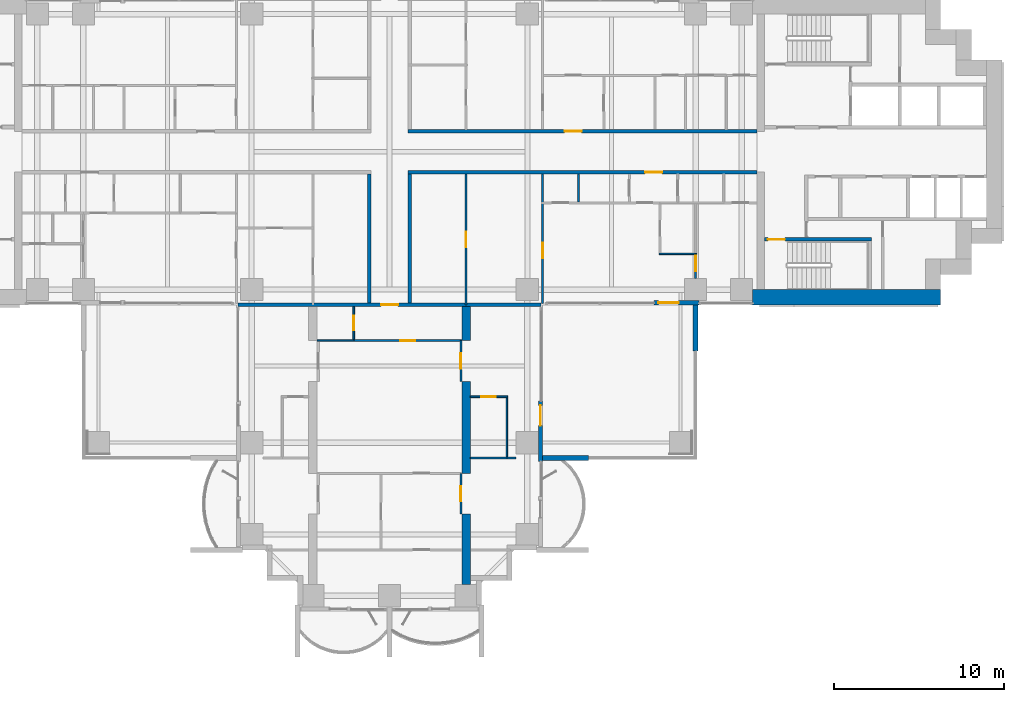
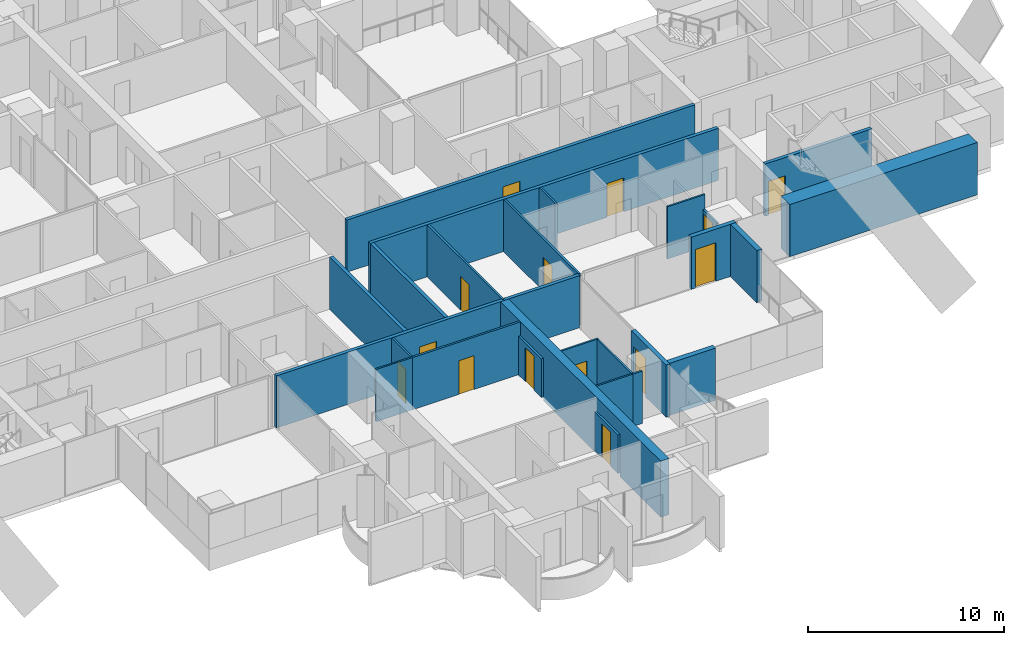
# One storey, part 13 of 23: 26 walls, 14 doors, 14 openings.
"""IFC4 building model written with IfcOpenShell, lengths in metres."""

from ifc_helpers import new_model, si_unit, direction, frame, frame_2d, origin, place, context, subcontext, project, spatial, polyline, rectangle, outline, extrude, material, layer, layer_set, material_profile, profile_set, type_object, element, fill, save


model = new_model("IFC4")

# Units and contexts
model_context = context("Model", 3, precision=1e-05, world=origin(), true_north=direction((0.0, 1.0)))
body_context = subcontext(model_context, "Body", "Model", "MODEL_VIEW")
ifc_project = project(units=[si_unit("LENGTHUNIT", "METRE"), si_unit("AREAUNIT", "SQUARE_METRE"), si_unit("VOLUMEUNIT", "CUBIC_METRE"), si_unit("PLANEANGLEUNIT", "RADIAN"), si_unit("MASSUNIT", "GRAM", prefix="KILO")], contexts=[model_context])

# Site, building, storey
site_placement = place(None, origin())
site = spatial("IfcSite", under=ifc_project, at=site_placement, CompositionType="ELEMENT")
building_placement = place(site_placement, origin())
building = spatial("IfcBuilding", under=site, at=building_placement, Name="Perihelion Cross Residences", CompositionType="ELEMENT")
storey_placement = place(building_placement, frame((0.0, 0.0, 61.0)))
storey = spatial("IfcBuildingStorey", under=building, at=storey_placement, Name="L12", CompositionType="ELEMENT", Elevation=61.0)

# Wall, opening, door
ifc_material_1 = material(Name="Plasterboard partition")
ifc_layer_1 = layer(ifc_material_1, 0.199951171875)
ifc_layer_set_1 = layer_set([ifc_layer_1], Name="Apartment separation wall 200")
wall_type_1 = type_object("IfcWallType", Name="Apartment separation wall 200", PredefinedType="PARTITIONING", material=ifc_layer_set_1)
wall_1_placement = place(storey_placement, frame((1.10009765625, 1.199951171875, 0.0), z_axis=(0.0, 0.0, 1.0), x_axis=(1.0, 0.0, 0.0)))
wall_1 = element("IfcWall", 1, at=wall_1_placement, inside=storey, type_object=wall_type_1, Name="Partition L12 W001", PredefinedType="PARTITIONING", context=body_context, shape_type="SweptSolid", body=[
    extrude(rectangle(XDim=20.5, YDim=0.199951171875, at=frame_2d((10.25, 0.0))), origin(), (0.0, 0.0, 1.0), 3.25),
])
opening_1_placement = place(wall_1_placement, frame((9.199951171875, 0.0, 0.0)))
opening_1 = element("IfcOpeningElement", 2, at=opening_1_placement, cuts=wall_1, Name="Opening L12.A53", PredefinedType="OPENING", context=body_context, shape_type="SweptSolid", body=[
    extrude(rectangle(XDim=1.0, YDim=2.10009765625, at=frame_2d((0.5, 1.050048828125))), frame((0.0, 0.10986328125, 0.0), z_axis=(0.0, -1.0, 0.0), x_axis=(1.0, 0.0, 0.0)), (0.0, 0.0, 1.0), 0.219970703125),
])
ifc_material_2 = material(Name="Timber door leaf", Category="wood")
door_type_1 = type_object("IfcDoorType", Name="Flat entrance door 1000 x 2100", OperationType="SINGLE_SWING_LEFT", PredefinedType="DOOR", material=ifc_material_2)
door_1_placement = place(opening_1_placement, origin())
door_1 = element("IfcDoor", 3, at=door_1_placement, inside=storey, type_object=door_type_1, Name="Door L12.A53", OperationType="SINGLE_SWING_LEFT", OverallHeight=2.10009765625, OverallWidth=1.0, PredefinedType="DOOR", context=body_context, shape_type="SweptSolid", body=[
    extrude(rectangle(XDim=1.0, YDim=2.10009765625, at=frame_2d((0.5, 1.050048828125))), frame((0.0, 0.02490234375, 0.0), z_axis=(0.0, -1.0, 0.0), x_axis=(1.0, 0.0, 0.0)), (0.0, 0.0, 1.0), 0.050048828125),
])
fill(opening_1, door_1)

wall_2_placement = place(storey_placement, frame((21.60009765625, -1.199951171875, 0.0), z_axis=(0.0, 0.0, 1.0), x_axis=(-1.0, 0.0, 0.0)))
wall_2 = element("IfcWall", 4, at=wall_2_placement, inside=storey, type_object=wall_type_1, Name="Partition L12 W003", PredefinedType="PARTITIONING", context=body_context, shape_type="SweptSolid", body=[
    extrude(rectangle(XDim=20.5, YDim=0.199951171875, at=frame_2d((10.25, 0.0))), origin(), (0.0, 0.0, 1.0), 3.25),
])
opening_2_placement = place(wall_2_placement, frame((5.574951171875, 0.0, 0.0)))
opening_2 = element("IfcOpeningElement", 5, at=opening_2_placement, cuts=wall_2, Name="Opening L12.A54", PredefinedType="OPENING", context=body_context, shape_type="SweptSolid", body=[
    extrude(rectangle(XDim=1.0, YDim=2.10009765625, at=frame_2d((0.5, 1.050048828125))), frame((0.0, 0.10986328125, 0.0), z_axis=(0.0, -1.0, 0.0), x_axis=(1.0, 0.0, 0.0)), (0.0, 0.0, 1.0), 0.219970703125),
])
door_2_placement = place(opening_2_placement, origin())
door_2 = element("IfcDoor", 6, at=door_2_placement, inside=storey, type_object=door_type_1, Name="Door L12.A54", OperationType="SINGLE_SWING_RIGHT", OverallHeight=2.10009765625, OverallWidth=1.0, PredefinedType="DOOR", context=body_context, shape_type="SweptSolid", body=[
    extrude(rectangle(XDim=1.0, YDim=2.10009765625, at=frame_2d((0.5, 1.050048828125))), frame((0.0, 0.02490234375, 0.0), z_axis=(0.0, -1.0, 0.0), x_axis=(1.0, 0.0, 0.0)), (0.0, 0.0, 1.0), 0.050048828125),
])
fill(opening_2, door_2)

# Walls
for number, where, z_axis, x_axis, name in (
    (7, (1.199951171875, -1.300048828125, 0.0), (0.0, 0.0, 1.0), (0.0, -1.0, 0.0), "Partition L12 W004"),
    (8, (-1.199951171875, -8.89990234375, 0.0), (0.0, 0.0, 1.0), (0.0, 1.0, 0.0), "Partition L12 W008"),
):
    element("IfcWall", number, at=place(storey_placement, frame(where, z_axis=z_axis, x_axis=x_axis)), inside=storey, type_object=wall_type_1, Name=name, PredefinedType="PARTITIONING", context=body_context, shape_type="SweptSolid", body=[
        extrude(rectangle(XDim=7.599853515625, YDim=0.199951171875, at=frame_2d((3.7998046875, 0.0))), origin(), (0.0, 0.0, 1.0), 3.25),
    ])

# Wall, opening, door
wall_3_placement = place(storey_placement, frame((8.919921875, -9.0, 0.0), z_axis=(0.0, 0.0, 1.0), x_axis=(-1.0, 0.0, 0.0)))
wall_3 = element("IfcWall", 9, at=wall_3_placement, inside=storey, type_object=wall_type_1, Name="Partition L12 W010", PredefinedType="PARTITIONING", context=body_context, shape_type="SweptSolid", body=[
    extrude(rectangle(XDim=17.83984375, YDim=0.199951171875, at=frame_2d((8.919921875, 0.0))), origin(), (0.0, 0.0, 1.0), 3.25),
])
opening_3_placement = place(wall_3_placement, frame((8.419921875, 0.0, 0.0)))
opening_3 = element("IfcOpeningElement", 10, at=opening_3_placement, cuts=wall_3, Name="Opening L12.A45", PredefinedType="OPENING", context=body_context, shape_type="SweptSolid", body=[
    extrude(rectangle(XDim=1.0, YDim=2.10009765625, at=frame_2d((0.5, 1.050048828125))), frame((0.0, 0.10986328125, 0.0), z_axis=(0.0, -1.0, 0.0), x_axis=(1.0, 0.0, 0.0)), (0.0, 0.0, 1.0), 0.219970703125),
])
door_3_placement = place(opening_3_placement, origin())
door_3 = element("IfcDoor", 11, at=door_3_placement, inside=storey, type_object=door_type_1, Name="Door L12.A45", OperationType="SINGLE_SWING_LEFT", OverallHeight=2.10009765625, OverallWidth=1.0, PredefinedType="DOOR", context=body_context, shape_type="SweptSolid", body=[
    extrude(rectangle(XDim=1.0, YDim=2.10009765625, at=frame_2d((0.5, 1.050048828125))), frame((0.0, 0.02490234375, 0.0), z_axis=(0.0, -1.0, 0.0), x_axis=(1.0, 0.0, 0.0)), (0.0, 0.0, 1.0), 0.050048828125),
])
fill(opening_3, door_3)

ifc_material_3 = material(Name="Concrete C30/37, bronze-clad", Category="concrete")
ifc_layer_2 = layer(ifc_material_3, 0.25)
ifc_layer_set_2 = layer_set([ifc_layer_2], Name="Bronze-clad pier wall 250")
wall_type_2 = type_object("IfcWallType", Name="Bronze-clad pier wall 250", PredefinedType="SOLIDWALL", material=ifc_layer_set_2)
wall_4_placement = place(storey_placement, frame((8.875, -18.199951171875, 0.0), z_axis=(0.0, 0.0, 1.0), x_axis=(0.0, 1.0, 0.0)))
wall_4 = element("IfcWall", 12, at=wall_4_placement, inside=storey, type_object=wall_type_2, Name="Wall FW1 L12 south side east bay 2 pier", PredefinedType="SOLIDWALL", context=body_context, shape_type="SweptSolid", body=[
    extrude(rectangle(XDim=3.550048828125, YDim=0.25, at=frame_2d((1.77490234375, 0.0))), origin(), (0.0, 0.0, 1.0), 3.25),
])
opening_4_placement = place(wall_4_placement, frame((2.10009765625, 0.0, 0.0)))
opening_4 = element("IfcOpeningElement", 13, at=opening_4_placement, cuts=wall_4, Name="Opening L12.E15", PredefinedType="OPENING", context=body_context, shape_type="SweptSolid", body=[
    extrude(rectangle(XDim=1.199951171875, YDim=2.39990234375, at=frame_2d((0.60009765625, 1.199951171875))), frame((0.0, 0.135009765625, 0.0), z_axis=(0.0, -1.0, 0.0), x_axis=(1.0, 0.0, 0.0)), (0.0, 0.0, 1.0), 0.27001953125),
])
ifc_material_4 = material(Name="Bronze anodised aluminium, glazed", Category="aluminium")
door_type_2 = type_object("IfcDoorType", Name="Balcony door 1200 x 2400", OperationType="NOTDEFINED", PredefinedType="DOOR", material=ifc_material_4)
door_4_placement = place(opening_4_placement, origin())
door_4 = element("IfcDoor", 14, at=door_4_placement, inside=storey, type_object=door_type_2, Name="Door L12.E15 south side east bay 2", OperationType="SINGLE_SWING_RIGHT", OverallHeight=2.39990234375, OverallWidth=1.199951171875, PredefinedType="DOOR", context=body_context, shape_type="SweptSolid", body=[
    extrude(rectangle(XDim=1.199951171875, YDim=2.39990234375, at=frame_2d((0.60009765625, 1.199951171875))), frame((0.0, 0.02490234375, 0.0), z_axis=(0.0, -1.0, 0.0), x_axis=(1.0, 0.0, 0.0)), (0.0, 0.0, 1.0), 0.050048828125),
])
fill(opening_4, door_4)

wall_5_placement = place(storey_placement, frame((15.550048828125, -8.875, 0.0), z_axis=(0.0, 0.0, 1.0), x_axis=(1.0, 0.0, 0.0)))
wall_5 = element("IfcWall", 15, at=wall_5_placement, inside=storey, type_object=wall_type_2, Name="Wall FW1 L12 east side south bay 1 pier", PredefinedType="SOLIDWALL", context=body_context, shape_type="SweptSolid", body=[
    extrude(rectangle(XDim=2.64990234375, YDim=0.25, at=frame_2d((1.324951171875, 0.0))), origin(), (0.0, 0.0, 1.0), 3.25),
])
opening_5_placement = place(wall_5_placement, frame((0.25, 0.0, 0.0)))
opening_5 = element("IfcOpeningElement", 16, at=opening_5_placement, cuts=wall_5, Name="Opening L12.E16", PredefinedType="OPENING", context=body_context, shape_type="SweptSolid", body=[
    extrude(rectangle(XDim=1.199951171875, YDim=2.39990234375, at=frame_2d((0.60009765625, 1.199951171875))), frame((0.0, 0.135009765625, 0.0), z_axis=(0.0, -1.0, 0.0), x_axis=(1.0, 0.0, 0.0)), (0.0, 0.0, 1.0), 0.27001953125),
])
door_5_placement = place(opening_5_placement, origin())
door_5 = element("IfcDoor", 17, at=door_5_placement, inside=storey, type_object=door_type_2, Name="Door L12.E16 east side south bay 1", OperationType="SINGLE_SWING_LEFT", OverallHeight=2.39990234375, OverallWidth=1.199951171875, PredefinedType="DOOR", context=body_context, shape_type="SweptSolid", body=[
    extrude(rectangle(XDim=1.199951171875, YDim=2.39990234375, at=frame_2d((0.60009765625, 1.199951171875))), frame((0.0, 0.02490234375, 0.0), z_axis=(0.0, -1.0, 0.0), x_axis=(1.0, 0.0, 0.0)), (0.0, 0.0, 1.0), 0.050048828125),
])
fill(opening_5, door_5)

# Wall
ifc_material_5 = material(Name="Concrete C60/75", Category="concrete")
ifc_layer_3 = layer(ifc_material_5, 0.89990234375)
ifc_layer_set_3 = layer_set([ifc_layer_3], Name="Core wall, outer 900")
wall_type_3 = type_object("IfcWallType", Name="Core wall, outer 900", PredefinedType="SHEAR", material=ifc_layer_set_3)
wall_6_placement = place(storey_placement, frame((21.35009765625, -8.550048828125, 0.0), z_axis=(0.0, 0.0, 1.0), x_axis=(1.0, 0.0, 0.0)))
element("IfcWall", 18, at=wall_6_placement, inside=storey, type_object=wall_type_3, Name="East core core wall, outer", PredefinedType="SHEAR", context=body_context, shape_type="SweptSolid", body=[
    extrude(rectangle(XDim=11.0498046875, YDim=0.89990234375, at=frame_2d((5.52490234375, 0.0))), origin(), (0.0, 0.0, 1.0), 3.25),
])

# Wall, opening, door
ifc_material_6 = material(Name="Plasterboard partition")
ifc_layer_4 = layer(ifc_material_6, 0.1201171875)
ifc_layer_set_4 = layer_set([ifc_layer_4], Name="Infill panel 120")
wall_type_4 = type_object("IfcWallType", Name="Infill panel 120", PredefinedType="PARTITIONING", material=ifc_layer_set_4)
wall_7_placement = place(storey_placement, frame((4.18994140625, -11.10009765625, 0.0), z_axis=(0.0, 0.0, 1.0), x_axis=(0.0, -1.0, 0.0)))
wall_7 = element("IfcWall", 19, at=wall_7_placement, inside=storey, type_object=wall_type_4, Name="Partition L12 WI05", PredefinedType="PARTITIONING", context=body_context, shape_type="SweptSolid", body=[
    extrude(rectangle(XDim=2.39990234375, YDim=0.1201171875, at=frame_2d((1.199951171875, 0.0))), origin(), (0.0, 0.0, 1.0), 2.39990234375),
])
opening_6_placement = place(wall_7_placement, frame((0.75, 0.0, 0.0)))
opening_6 = element("IfcOpeningElement", 20, at=opening_6_placement, cuts=wall_7, Name="Opening L12.A61", PredefinedType="OPENING", context=body_context, shape_type="SweptSolid", body=[
    extrude(rectangle(XDim=0.89990234375, YDim=2.10009765625, at=frame_2d((0.449951171875, 1.050048828125))), frame((0.0, 0.070068359375, 0.0), z_axis=(0.0, -1.0, 0.0), x_axis=(1.0, 0.0, 0.0)), (0.0, 0.0, 1.0), 0.14013671875),
])
ifc_material_7 = material(Name="Timber door leaf", Category="wood")
door_type_3 = type_object("IfcDoorType", Name="Interior room door 900 x 2100", OperationType="SINGLE_SWING_LEFT", PredefinedType="DOOR", material=ifc_material_7)
door_6_placement = place(opening_6_placement, origin())
door_6 = element("IfcDoor", 21, at=door_6_placement, inside=storey, type_object=door_type_3, Name="Door L12.A61", OperationType="SINGLE_SWING_RIGHT", OverallHeight=2.10009765625, OverallWidth=0.89990234375, PredefinedType="DOOR", context=body_context, shape_type="SweptSolid", body=[
    extrude(rectangle(XDim=0.89990234375, YDim=2.10009765625, at=frame_2d((0.449951171875, 1.050048828125))), frame((0.0, 0.02490234375, 0.0), z_axis=(0.0, -1.0, 0.0), x_axis=(1.0, 0.0, 0.0)), (0.0, 0.0, 1.0), 0.050048828125),
])
fill(opening_6, door_6)

wall_8_placement = place(storey_placement, frame((4.18994140625, -18.89990234375, 0.0), z_axis=(0.0, 0.0, 1.0), x_axis=(0.0, -1.0, 0.0)))
wall_8 = element("IfcWall", 22, at=wall_8_placement, inside=storey, type_object=wall_type_4, Name="Partition L12 WI06", PredefinedType="PARTITIONING", context=body_context, shape_type="SweptSolid", body=[
    extrude(rectangle(XDim=2.400146484375, YDim=0.1201171875, at=frame_2d((1.2001953125, 0.0))), origin(), (0.0, 0.0, 1.0), 2.39990234375),
])
opening_7_placement = place(wall_8_placement, frame((0.75, 0.0, 0.0)))
opening_7 = element("IfcOpeningElement", 23, at=opening_7_placement, cuts=wall_8, Name="Opening L12.A62", PredefinedType="OPENING", context=body_context, shape_type="SweptSolid", body=[
    extrude(rectangle(XDim=0.89990234375, YDim=2.10009765625, at=frame_2d((0.449951171875, 1.050048828125))), frame((0.0, 0.070068359375, 0.0), z_axis=(0.0, -1.0, 0.0), x_axis=(1.0, 0.0, 0.0)), (0.0, 0.0, 1.0), 0.14013671875),
])
door_7_placement = place(opening_7_placement, origin())
door_7 = element("IfcDoor", 24, at=door_7_placement, inside=storey, type_object=door_type_3, Name="Door L12.A62", OperationType="SINGLE_SWING_LEFT", OverallHeight=2.10009765625, OverallWidth=0.89990234375, PredefinedType="DOOR", context=body_context, shape_type="SweptSolid", body=[
    extrude(rectangle(XDim=0.89990234375, YDim=2.10009765625, at=frame_2d((0.449951171875, 1.050048828125))), frame((0.0, 0.02490234375, 0.0), z_axis=(0.0, -1.0, 0.0), x_axis=(1.0, 0.0, 0.0)), (0.0, 0.0, 1.0), 0.050048828125),
])
fill(opening_7, door_7)

# Wall
ifc_material_8 = material(Name="Plasterboard partition")
ifc_layer_5 = layer(ifc_material_8, 0.1201171875)
ifc_layer_set_5 = layer_set([ifc_layer_5], Name="Partition wall 120")
wall_type_5 = type_object("IfcWallType", Name="Partition wall 120", PredefinedType="PARTITIONING", material=ifc_layer_set_5)
wall_9_placement = place(storey_placement, frame((11.10009765625, -1.300048828125, 0.0), z_axis=(0.0, 0.0, 1.0), x_axis=(0.0, -1.0, 0.0)))
element("IfcWall", 25, at=wall_9_placement, inside=storey, type_object=wall_type_5, Name="Partition L12 W022", PredefinedType="PARTITIONING", context=body_context, shape_type="SweptSolid", body=[
    extrude(rectangle(XDim=1.639892578125, YDim=0.1201171875, at=frame_2d((0.81982421875, 0.0))), origin(), (0.0, 0.0, 1.0), 3.25),
])

# Wall, opening, door
wall_10_placement = place(storey_placement, frame((9.0, -8.919921875, 0.0), z_axis=(0.0, 0.0, 1.0), x_axis=(0.0, 1.0, 0.0)))
wall_10 = element("IfcWall", 26, at=wall_10_placement, inside=storey, type_object=wall_type_5, Name="Partition L12 W024", PredefinedType="PARTITIONING", context=body_context, shape_type="SweptSolid", body=[
    extrude(rectangle(XDim=7.619873046875, YDim=0.1201171875, at=frame_2d((3.81005859375, 0.0))), origin(), (0.0, 0.0, 1.0), 3.25),
])
opening_8_placement = place(wall_10_placement, frame((2.669921875, 0.0, 0.0)))
opening_8 = element("IfcOpeningElement", 27, at=opening_8_placement, cuts=wall_10, Name="Opening L12.A15", PredefinedType="OPENING", context=body_context, shape_type="SweptSolid", body=[
    extrude(rectangle(XDim=0.89990234375, YDim=2.10009765625, at=frame_2d((0.449951171875, 1.050048828125))), frame((0.0, 0.070068359375, 0.0), z_axis=(0.0, -1.0, 0.0), x_axis=(1.0, 0.0, 0.0)), (0.0, 0.0, 1.0), 0.14013671875),
])
door_8_placement = place(opening_8_placement, origin())
door_8 = element("IfcDoor", 28, at=door_8_placement, inside=storey, type_object=door_type_3, Name="Door L12.A15", OperationType="SINGLE_SWING_LEFT", OverallHeight=2.10009765625, OverallWidth=0.89990234375, PredefinedType="DOOR", context=body_context, shape_type="SweptSolid", body=[
    extrude(rectangle(XDim=0.89990234375, YDim=2.10009765625, at=frame_2d((0.449951171875, 1.050048828125))), frame((0.0, 0.02490234375, 0.0), z_axis=(0.0, -1.0, 0.0), x_axis=(1.0, 0.0, 0.0)), (0.0, 0.0, 1.0), 0.050048828125),
])
fill(opening_8, door_8)

wall_11_placement = place(storey_placement, frame((18.0, -6.0, 0.0), z_axis=(0.0, 0.0, 1.0), x_axis=(0.0, -1.0, 0.0)))
wall_11 = element("IfcWall", 29, at=wall_11_placement, inside=storey, type_object=wall_type_5, Name="Partition L12 W032", PredefinedType="PARTITIONING", context=body_context, shape_type="SweptSolid", body=[
    extrude(rectangle(XDim=1.449951171875, YDim=0.1201171875, at=frame_2d((0.72509765625, 0.0))), origin(), (0.0, 0.0, 1.0), 2.345947265625),
])
opening_9_placement = place(wall_11_placement, frame((0.1201171875, 0.0, 0.0)))
opening_9 = element("IfcOpeningElement", 30, at=opening_9_placement, cuts=wall_11, Name="Opening L12.A12", PredefinedType="OPENING", context=body_context, shape_type="SweptSolid", body=[
    extrude(rectangle(XDim=0.89990234375, YDim=2.10009765625, at=frame_2d((0.449951171875, 1.050048828125))), frame((0.0, 0.070068359375, 0.0), z_axis=(0.0, -1.0, 0.0), x_axis=(1.0, 0.0, 0.0)), (0.0, 0.0, 1.0), 0.14013671875),
])
door_9_placement = place(opening_9_placement, origin())
door_9 = element("IfcDoor", 31, at=door_9_placement, inside=storey, type_object=door_type_3, Name="Door L12.A12", OperationType="SINGLE_SWING_RIGHT", OverallHeight=2.10009765625, OverallWidth=0.89990234375, PredefinedType="DOOR", context=body_context, shape_type="SweptSolid", body=[
    extrude(rectangle(XDim=0.89990234375, YDim=2.10009765625, at=frame_2d((0.449951171875, 1.050048828125))), frame((0.0, 0.02490234375, 0.0), z_axis=(0.0, -1.0, 0.0), x_axis=(1.0, 0.0, 0.0)), (0.0, 0.0, 1.0), 0.050048828125),
])
fill(opening_9, door_9)

wall_12_placement = place(storey_placement, frame((4.5, -9.0, 0.0), z_axis=(0.0, 0.0, 1.0), x_axis=(0.0, 1.0, 0.0)))
wall_12 = element("IfcWall", 32, at=wall_12_placement, inside=storey, type_object=wall_type_5, Name="Partition L12 W034", PredefinedType="PARTITIONING", context=body_context, shape_type="SweptSolid", body=[
    extrude(rectangle(XDim=7.699951171875, YDim=0.1201171875, at=frame_2d((3.85009765625, 0.0))), origin(), (0.0, 0.0, 1.0), 3.25),
])
opening_10_placement = place(wall_12_placement, frame((3.39990234375, 0.0, 0.0)))
opening_10 = element("IfcOpeningElement", 33, at=opening_10_placement, cuts=wall_12, Name="Opening L12.A10", PredefinedType="OPENING", context=body_context, shape_type="SweptSolid", body=[
    extrude(rectangle(XDim=0.89990234375, YDim=2.10009765625, at=frame_2d((0.449951171875, 1.050048828125))), frame((0.0, 0.070068359375, 0.0), z_axis=(0.0, -1.0, 0.0), x_axis=(1.0, 0.0, 0.0)), (0.0, 0.0, 1.0), 0.14013671875),
])
door_10_placement = place(opening_10_placement, origin())
door_10 = element("IfcDoor", 34, at=door_10_placement, inside=storey, type_object=door_type_3, Name="Door L12.A10", OperationType="SINGLE_SWING_LEFT", OverallHeight=2.10009765625, OverallWidth=0.89990234375, PredefinedType="DOOR", context=body_context, shape_type="SweptSolid", body=[
    extrude(rectangle(XDim=0.89990234375, YDim=2.10009765625, at=frame_2d((0.449951171875, 1.050048828125))), frame((0.0, 0.02490234375, 0.0), z_axis=(0.0, -1.0, 0.0), x_axis=(1.0, 0.0, 0.0)), (0.0, 0.0, 1.0), 0.050048828125),
])
fill(opening_10, door_10)

wall_13_placement = place(storey_placement, frame((4.25, -11.10009765625, 0.0), z_axis=(0.0, 0.0, 1.0), x_axis=(-1.0, 0.0, 0.0)))
wall_13 = element("IfcWall", 35, at=wall_13_placement, inside=storey, type_object=wall_type_5, Name="Partition L12 W079", PredefinedType="PARTITIONING", context=body_context, shape_type="SweptSolid", body=[
    extrude(rectangle(XDim=6.35009765625, YDim=0.1201171875, at=frame_2d((3.175048828125, 0.0))), origin(), (0.0, 0.0, 1.0), 3.25),
])
opening_11_placement = place(wall_13_placement, frame((2.72509765625, 0.0, 0.0)))
opening_11 = element("IfcOpeningElement", 36, at=opening_11_placement, cuts=wall_13, Name="Opening L12.A47", PredefinedType="OPENING", context=body_context, shape_type="SweptSolid", body=[
    extrude(rectangle(XDim=0.89990234375, YDim=2.10009765625, at=frame_2d((0.449951171875, 1.050048828125))), frame((0.0, 0.070068359375, 0.0), z_axis=(0.0, -1.0, 0.0), x_axis=(1.0, 0.0, 0.0)), (0.0, 0.0, 1.0), 0.14013671875),
])
door_11_placement = place(opening_11_placement, origin())
door_11 = element("IfcDoor", 37, at=door_11_placement, inside=storey, type_object=door_type_3, Name="Door L12.A47", OperationType="SINGLE_SWING_RIGHT", OverallHeight=2.10009765625, OverallWidth=0.89990234375, PredefinedType="DOOR", context=body_context, shape_type="SweptSolid", body=[
    extrude(rectangle(XDim=0.89990234375, YDim=2.10009765625, at=frame_2d((0.449951171875, 1.050048828125))), frame((0.0, 0.02490234375, 0.0), z_axis=(0.0, -1.0, 0.0), x_axis=(1.0, 0.0, 0.0)), (0.0, 0.0, 1.0), 0.050048828125),
])
fill(opening_11, door_11)

# Walls
wall_14_placement = place(storey_placement, frame((7.449951171875, -18.0, 0.0), z_axis=(0.0, 0.0, 1.0), x_axis=(-1.0, 0.0, 0.0)))
element("IfcWall", 38, at=wall_14_placement, inside=storey, type_object=wall_type_5, Name="Partition L12 W086", PredefinedType="PARTITIONING", context=body_context, shape_type="SweptSolid", body=[
    extrude(rectangle(XDim=0.550048828125, YDim=0.1201171875, at=frame_2d((0.27490234375, 0.0))), origin(), (0.0, 0.0, 1.0), 3.25),
])
ifc_material_9 = material(Name="Precast concrete C50/60", Category="concrete")
ifc_layer_6 = layer(ifc_material_9, 0.300048828125)
ifc_layer_set_6 = layer_set([ifc_layer_6], Name="Precast concrete C50/60 blade wall 300")
wall_type_6 = type_object("IfcWallType", Name="Precast concrete C50/60 blade wall 300", PredefinedType="SOLIDWALL", material=ifc_layer_set_6)
wall_15_placement = place(storey_placement, frame((9.0, -18.0, 0.0), z_axis=(0.0, 0.0, 1.0), x_axis=(1.0, 0.0, 0.0)))
element("IfcWall", 39, at=wall_15_placement, inside=storey, type_object=wall_type_6, Name="Wall BL1 L12 no. 15", PredefinedType="SOLIDWALL", context=body_context, shape_type="SweptSolid", body=[
    extrude(rectangle(XDim=2.699951171875, YDim=0.300048828125, at=frame_2d((1.35009765625, 0.0))), origin(), (0.0, 0.0, 1.0), 3.25),
])
wall_16_placement = place(storey_placement, frame((18.0, -8.75, 0.0), z_axis=(0.0, 0.0, 1.0), x_axis=(0.0, -1.0, 0.0)))
element("IfcWall", 40, at=wall_16_placement, inside=storey, type_object=wall_type_6, Name="Wall BL1 L12 no. 11", PredefinedType="SOLIDWALL", context=body_context, shape_type="SweptSolid", body=[
    extrude(rectangle(XDim=2.949951171875, YDim=0.300048828125, at=frame_2d((1.47509765625, 0.0))), origin(), (0.0, 0.0, 1.0), 3.25),
])

# Wall, opening, door
ifc_material_10 = material(Name="Concrete C50/60", Category="concrete")
ifc_layer_7 = layer(ifc_material_10, 0.199951171875)
ifc_layer_set_7 = layer_set([ifc_layer_7], Name="Stair wall 200")
wall_type_7 = type_object("IfcWallType", Name="Stair wall 200", PredefinedType="SOLIDWALL", material=ifc_layer_set_7)
wall_17_placement = place(storey_placement, frame((22.050048828125, -5.14990234375, 0.0), z_axis=(0.0, 0.0, 1.0), x_axis=(1.0, 0.0, 0.0)))
wall_17 = element("IfcWall", 41, at=wall_17_placement, inside=storey, type_object=wall_type_7, Name="East core stair wall", PredefinedType="SOLIDWALL", context=body_context, shape_type="SweptSolid", body=[
    extrude(rectangle(XDim=6.300048828125, YDim=0.199951171875, at=frame_2d((3.14990234375, 0.0))), origin(), (0.0, 0.0, 1.0), 3.25),
])
opening_12_placement = place(wall_17_placement, frame((0.199951171875, 0.0, 0.0)))
opening_12 = element("IfcOpeningElement", 42, at=opening_12_placement, cuts=wall_17, Name="Opening L12.C05", PredefinedType="OPENING", context=body_context, shape_type="SweptSolid", body=[
    extrude(rectangle(XDim=1.0, YDim=2.10009765625, at=frame_2d((0.5, 1.050048828125))), frame((0.0, 0.10986328125, 0.0), z_axis=(0.0, -1.0, 0.0), x_axis=(1.0, 0.0, 0.0)), (0.0, 0.0, 1.0), 0.219970703125),
])
ifc_material_11 = material(Name="Steel, powder coated", Category="steel")
door_type_4 = type_object("IfcDoorType", Name="Stair door 1000", OperationType="SINGLE_SWING_LEFT", PredefinedType="DOOR", material=ifc_material_11)
door_12_placement = place(opening_12_placement, origin())
door_12 = element("IfcDoor", 43, at=door_12_placement, inside=storey, type_object=door_type_4, Name="East core stair door", OperationType="SINGLE_SWING_LEFT", OverallHeight=2.10009765625, OverallWidth=1.0, PredefinedType="DOOR", context=body_context, shape_type="SweptSolid", body=[
    extrude(rectangle(XDim=1.0, YDim=2.10009765625, at=frame_2d((0.5, 1.050048828125))), frame((0.0, 0.02490234375, 0.0), z_axis=(0.0, -1.0, 0.0), x_axis=(1.0, 0.0, 0.0)), (0.0, 0.0, 1.0), 0.050048828125),
])
fill(opening_12, door_12)

# Walls
ifc_material_12 = material(Name="Concrete C60/75", Category="concrete")
ifc_material_profile = material_profile(ifc_material_12, outline(polyline([(0.0, 0.0), (4.14990234375, 0.0), (4.14990234375, 2.64990234375), (6.550048828125, 2.64990234375), (6.550048828125, 0.0), (11.949951171875, 0.0), (11.949951171875, 2.64990234375), (14.35009765625, 2.64990234375), (14.35009765625, 0.0), (16.449951171875, 0.0), (16.449951171875, 3.5), (0.0, 3.5), (0.0, 0.0)])), Name="Tip spine wall")
ifc_profile_set = profile_set([ifc_material_profile], Name="Concrete C60/75")
wall_type_8 = type_object("IfcWallType", Name="Tip spine wall 500 with 2 door openings 16450 long 3500 high concrete C60/75 hand A", PredefinedType="SHEAR", material=ifc_profile_set)
wall_18_placement = place(storey_placement, frame((4.25, -25.449951171875, -0.25), z_axis=(1.0, 0.0, 0.0), x_axis=(0.0, 1.0, 0.0)))
element("IfcWall", 44, at=wall_18_placement, inside=storey, type_object=wall_type_8, Name="Shear wall SW24 L12 south east", PredefinedType="SHEAR", context=body_context, shape_type="SweptSolid", body=[
    extrude(outline(polyline([(0.0, 0.0), (4.14990234375, 0.0), (4.14990234375, 2.64990234375), (6.550048828125, 2.64990234375), (6.550048828125, 0.0), (11.949951171875, 0.0), (11.949951171875, 2.64990234375), (14.35009765625, 2.64990234375), (14.35009765625, 0.0), (16.449951171875, 0.0), (16.449951171875, 3.5), (0.0, 3.5), (0.0, 0.0)])), origin(), (0.0, 0.0, 1.0), 0.5),
])
ifc_material_13 = material(Name="Plasterboard partition")
ifc_layer_8 = layer(ifc_material_13, 0.10009765625)
ifc_layer_set_8 = layer_set([ifc_layer_8], Name="Wet room wall 100")
wall_type_9 = type_object("IfcWallType", Name="Wet room wall 100", PredefinedType="PARTITIONING", material=ifc_layer_set_8)
wall_19_placement = place(storey_placement, frame((15.85009765625, -6.0, 0.0), z_axis=(0.0, 0.0, 1.0), x_axis=(1.0, 0.0, 0.0)))
element("IfcWall", 45, at=wall_19_placement, inside=storey, type_object=wall_type_9, Name="Partition L12 W031", PredefinedType="PARTITIONING", context=body_context, shape_type="SweptSolid", body=[
    extrude(rectangle(XDim=2.2099609375, YDim=0.10009765625, at=frame_2d((1.10498046875, 0.0))), origin(), (0.0, 0.0, 1.0), 3.25),
])

# Wall, opening, door
wall_20_placement = place(storey_placement, frame((-2.10009765625, -11.0400390625, 0.0), z_axis=(0.0, 0.0, 1.0), x_axis=(0.0, 1.0, 0.0)))
wall_20 = element("IfcWall", 46, at=wall_20_placement, inside=storey, type_object=wall_type_9, Name="Partition L12 W078", PredefinedType="PARTITIONING", context=body_context, shape_type="SweptSolid", body=[
    extrude(rectangle(XDim=1.93994140625, YDim=0.10009765625, at=frame_2d((0.969970703125, 0.0))), origin(), (0.0, 0.0, 1.0), 3.25),
])
opening_13_placement = place(wall_20_placement, frame((0.544921875, 0.0, 0.0)))
opening_13 = element("IfcOpeningElement", 47, at=opening_13_placement, cuts=wall_20, Name="Opening L12.A46", PredefinedType="OPENING", context=body_context, shape_type="SweptSolid", body=[
    extrude(rectangle(XDim=0.85009765625, YDim=2.10009765625, at=frame_2d((0.425048828125, 1.050048828125))), frame((0.0, 0.06005859375, 0.0), z_axis=(0.0, -1.0, 0.0), x_axis=(1.0, 0.0, 0.0)), (0.0, 0.0, 1.0), 0.1201171875),
])
ifc_material_14 = material(Name="Timber door leaf", Category="wood")
door_type_5 = type_object("IfcDoorType", Name="Interior bathroom door 850 x 2100", OperationType="SINGLE_SWING_LEFT", PredefinedType="DOOR", material=ifc_material_14)
door_13_placement = place(opening_13_placement, origin())
door_13 = element("IfcDoor", 48, at=door_13_placement, inside=storey, type_object=door_type_5, Name="Door L12.A46", OperationType="SINGLE_SWING_RIGHT", OverallHeight=2.10009765625, OverallWidth=0.85009765625, PredefinedType="DOOR", context=body_context, shape_type="SweptSolid", body=[
    extrude(rectangle(XDim=0.85009765625, YDim=2.10009765625, at=frame_2d((0.425048828125, 1.050048828125))), frame((0.0, 0.02490234375, 0.0), z_axis=(0.0, -1.0, 0.0), x_axis=(1.0, 0.0, 0.0)), (0.0, 0.0, 1.0), 0.050048828125),
])
fill(opening_13, door_13)

# Walls
wall_21_placement = place(storey_placement, frame((-2.10009765625, -11.10009765625, 0.0), z_axis=(0.0, 0.0, 1.0), x_axis=(-1.0, 0.0, 0.0)))
element("IfcWall", 49, at=wall_21_placement, inside=storey, type_object=wall_type_9, Name="Partition L12 W080", PredefinedType="PARTITIONING", context=body_context, shape_type="SweptSolid", body=[
    extrude(rectangle(XDim=2.14990234375, YDim=0.10009765625, at=frame_2d((1.074951171875, 0.0))), origin(), (0.0, 0.0, 1.0), 3.25),
])
wall_22_placement = place(storey_placement, frame((6.89990234375, -17.93994140625, 0.0), z_axis=(0.0, 0.0, 1.0), x_axis=(0.0, 1.0, 0.0)))
element("IfcWall", 50, at=wall_22_placement, inside=storey, type_object=wall_type_9, Name="Partition L12 W084", PredefinedType="PARTITIONING", context=body_context, shape_type="SweptSolid", body=[
    extrude(rectangle(XDim=3.489990234375, YDim=0.10009765625, at=frame_2d((1.7451171875, 0.0))), origin(), (0.0, 0.0, 1.0), 3.25),
])

# Wall, opening, door
wall_23_placement = place(storey_placement, frame((6.949951171875, -14.39990234375, 0.0), z_axis=(0.0, 0.0, 1.0), x_axis=(-1.0, 0.0, 0.0)))
wall_23 = element("IfcWall", 51, at=wall_23_placement, inside=storey, type_object=wall_type_9, Name="Partition L12 W085", PredefinedType="PARTITIONING", context=body_context, shape_type="SweptSolid", body=[
    extrude(rectangle(XDim=2.199951171875, YDim=0.10009765625, at=frame_2d((1.10009765625, 0.0))), origin(), (0.0, 0.0, 1.0), 3.25),
])
opening_14_placement = place(wall_23_placement, frame((0.699951171875, 0.0, 0.0)))
opening_14 = element("IfcOpeningElement", 52, at=opening_14_placement, cuts=wall_23, Name="Opening L12.A51", PredefinedType="OPENING", context=body_context, shape_type="SweptSolid", body=[
    extrude(rectangle(XDim=0.85009765625, YDim=2.10009765625, at=frame_2d((0.425048828125, 1.050048828125))), frame((0.0, 0.06005859375, 0.0), z_axis=(0.0, -1.0, 0.0), x_axis=(1.0, 0.0, 0.0)), (0.0, 0.0, 1.0), 0.1201171875),
])
door_14_placement = place(opening_14_placement, origin())
door_14 = element("IfcDoor", 53, at=door_14_placement, inside=storey, type_object=door_type_5, Name="Door L12.A51", OperationType="SINGLE_SWING_LEFT", OverallHeight=2.10009765625, OverallWidth=0.85009765625, PredefinedType="DOOR", context=body_context, shape_type="SweptSolid", body=[
    extrude(rectangle(XDim=0.85009765625, YDim=2.10009765625, at=frame_2d((0.425048828125, 1.050048828125))), frame((0.0, 0.02490234375, 0.0), z_axis=(0.0, -1.0, 0.0), x_axis=(1.0, 0.0, 0.0)), (0.0, 0.0, 1.0), 0.050048828125),
])
fill(opening_14, door_14)

# Wall
wall_24_placement = place(storey_placement, frame((6.89990234375, -18.0, 0.0), z_axis=(0.0, 0.0, 1.0), x_axis=(-1.0, 0.0, 0.0)))
element("IfcWall", 54, at=wall_24_placement, inside=storey, type_object=wall_type_9, Name="Partition L12 W087", PredefinedType="PARTITIONING", context=body_context, shape_type="SweptSolid", body=[
    extrude(rectangle(XDim=2.14990234375, YDim=0.10009765625, at=frame_2d((1.074951171875, 0.0))), origin(), (0.0, 0.0, 1.0), 3.25),
])

save(model, "model.ifc")
